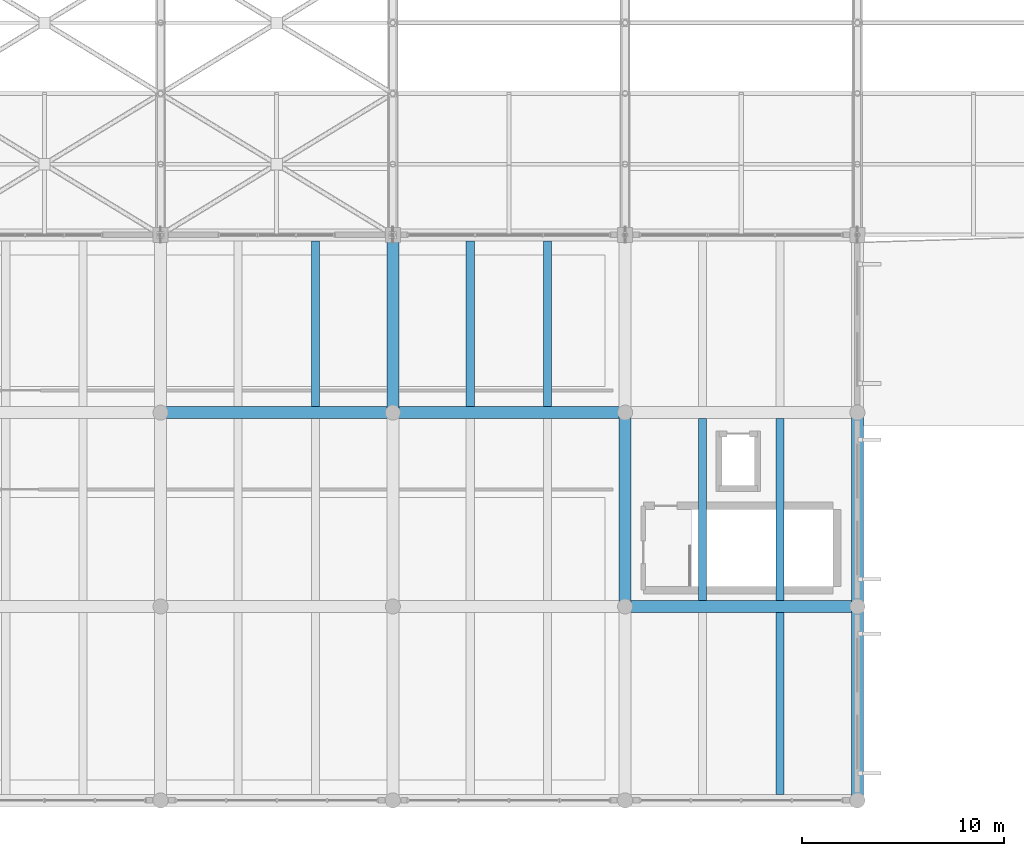
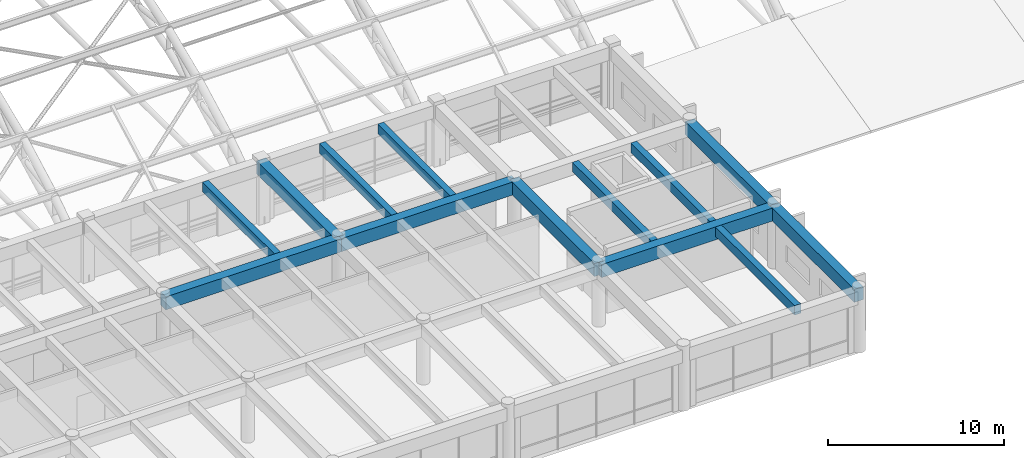
# One storey, part 44 of 154: 13 beams.
"""IFC4 building model written with IfcOpenShell, lengths in metres."""

from ifc_helpers import new_model, si_unit, direction, frame, origin, origin_2d, place, context, subcontext, project, spatial, rectangle, extrude, material, material_profile, profile_set, type_object, element, save


model = new_model("IFC4")

# Units and contexts
model_context = context("Model", 3, precision=1e-05, world=origin(), true_north=direction((0.0, 1.0)))
body_context = subcontext(model_context, "Body", "Model", "MODEL_VIEW")
ifc_project = project(units=[si_unit("LENGTHUNIT", "METRE"), si_unit("AREAUNIT", "SQUARE_METRE"), si_unit("VOLUMEUNIT", "CUBIC_METRE"), si_unit("PLANEANGLEUNIT", "RADIAN"), si_unit("MASSUNIT", "GRAM", prefix="KILO")], contexts=[model_context])

# Site, building, storey
site_placement = place(None, origin())
site = spatial("IfcSite", under=ifc_project, at=site_placement, CompositionType="ELEMENT")
building_placement = place(site_placement, origin())
building = spatial("IfcBuilding", under=site, at=building_placement, Name="Ologun Quay Terminus", CompositionType="ELEMENT")
storey_placement = place(building_placement, frame((0.0, 0.0, 13.800048828125)))
storey = spatial("IfcBuildingStorey", under=building, at=storey_placement, Name="L03", CompositionType="ELEMENT", Elevation=13.800048828125)

# Beams
ifc_material_1 = material(Name="Concrete C40/50", Category="concrete")
ifc_material_profile_1 = material_profile(ifc_material_1, rectangle(XDim=0.60009765625, YDim=0.89990234375, at=origin_2d()), Name="RC 600x900")
ifc_profile_set_1 = profile_set([ifc_material_profile_1], Name="Concrete C40/50")
beam_type_1 = type_object("IfcBeamType", Name="Station Frame Girder 600x900", PredefinedType="BEAM", material=ifc_profile_set_1)
for number, where, z_axis, x_axis, name in (
    (1, (115.0, 17.60009765625, 3.800048828125), (1.0, 0.0, 0.0), (0.0, 1.0, 0.0), "B3 Beam 11/C L03"),
    (2, (92.0, 27.199951171875, 3.800048828125), (1.0, 0.0, 0.0), (0.0, 1.0, 0.0), "B3 Beam 9/D L03"),
    (3, (103.5, 27.199951171875, 3.800048828125), (1.0, 0.0, 0.0), (0.0, 1.0, 0.0), "B3 Beam 10/D L03"),
):
    element("IfcBeam", number, at=place(storey_placement, frame(where, z_axis=z_axis, x_axis=x_axis)), inside=storey, type_object=beam_type_1, Name=name, PredefinedType="BEAM", context=body_context, shape_type="SweptSolid", body=[
        extrude(rectangle(XDim=0.60009765625, YDim=0.89990234375, at=origin_2d()), origin(), (0.0, 0.0, 1.0), 11.5),
    ])
beam_1_placement = place(storey_placement, frame((103.5, 27.199951171875, 3.800048828125), z_axis=(0.0, 1.0, 0.0), x_axis=(-1.0, 0.0, 0.0)))
element("IfcBeam", 4, at=beam_1_placement, inside=storey, type_object=beam_type_1, Name="B3 Beam 10/D L03", PredefinedType="BEAM", context=body_context, shape_type="SweptSolid", body=[
    extrude(rectangle(XDim=0.60009765625, YDim=0.89990234375, at=origin_2d()), origin(), (0.0, 0.0, 1.0), 8.800048828125),
])
beam_2_placement = place(storey_placement, frame((115.0, 17.60009765625, 3.800048828125), z_axis=(0.0, 1.0, 0.0), x_axis=(-1.0, 0.0, 0.0)))
element("IfcBeam", 5, at=beam_2_placement, inside=storey, type_object=beam_type_1, Name="B3 Beam 11/C L03", PredefinedType="BEAM", context=body_context, shape_type="SweptSolid", body=[
    extrude(rectangle(XDim=0.60009765625, YDim=0.89990234375, at=origin_2d()), origin(), (0.0, 0.0, 1.0), 9.599853515625),
])
beam_3_placement = place(storey_placement, frame((126.5, 8.0, 3.800048828125), z_axis=(0.0, 1.0, 0.0), x_axis=(-1.0, 0.0, 0.0)))
element("IfcBeam", 6, at=beam_3_placement, inside=storey, type_object=beam_type_1, Name="B3 Beam 12/B L03", PredefinedType="BEAM", context=body_context, shape_type="SweptSolid", body=[
    extrude(rectangle(XDim=0.60009765625, YDim=0.89990234375, at=origin_2d()), origin(), (0.0, 0.0, 1.0), 9.60009765625),
])
beam_4_placement = place(storey_placement, frame((126.5, 17.60009765625, 3.800048828125), z_axis=(0.0, 1.0, 0.0), x_axis=(-1.0, 0.0, 0.0)))
element("IfcBeam", 7, at=beam_4_placement, inside=storey, type_object=beam_type_1, Name="B3 Beam 12/C L03", PredefinedType="BEAM", context=body_context, shape_type="SweptSolid", body=[
    extrude(rectangle(XDim=0.60009765625, YDim=0.89990234375, at=origin_2d()), origin(), (0.0, 0.0, 1.0), 9.599853515625),
])
ifc_material_2 = material(Name="Concrete C40/50", Category="concrete")
ifc_material_profile_2 = material_profile(ifc_material_2, rectangle(XDim=0.39990234375, YDim=0.64990234375, at=origin_2d()), Name="RC 400x650")
ifc_profile_set_2 = profile_set([ifc_material_profile_2], Name="Concrete C40/50")
beam_type_2 = type_object("IfcBeamType", Name="Station Secondary Joist 400x650", PredefinedType="JOIST", material=ifc_profile_set_2)
for number, where, z_axis, x_axis, name in (
    (8, (99.666748046875, 27.5, 3.925048828125), (0.0, 1.0, 0.0), (-1.0, 0.0, 0.0), "J1 Beam 9/D L03"),
    (9, (107.333251953125, 27.5, 3.925048828125), (0.0, 1.0, 0.0), (-1.0, 0.0, 0.0), "J1 Beam 10/D L03"),
    (10, (111.166748046875, 27.5, 3.925048828125), (0.0, 1.0, 0.0), (-1.0, 0.0, 0.0), "J1 Beam 10/D L03"),
):
    element("IfcBeam", number, at=place(storey_placement, frame(where, z_axis=z_axis, x_axis=x_axis)), inside=storey, type_object=beam_type_2, Name=name, PredefinedType="JOIST", context=body_context, shape_type="SweptSolid", body=[
        extrude(rectangle(XDim=0.39990234375, YDim=0.64990234375, at=origin_2d()), origin(), (0.0, 0.0, 1.0), 8.199951171875),
    ])
for number, where, z_axis, x_axis, name in (
    (11, (122.666748046875, 8.300048828125, 3.925048828125), (0.0, 1.0, 0.0), (-1.0, 0.0, 0.0), "J1 Beam 11/B L03"),
    (12, (118.833251953125, 17.89990234375, 3.925048828125), (0.0, 1.0, 0.0), (-1.0, 0.0, 0.0), "J1 Beam 11/C L03"),
    (13, (122.666748046875, 17.89990234375, 3.925048828125), (0.0, 1.0, 0.0), (-1.0, 0.0, 0.0), "J1 Beam 11/C L03"),
):
    element("IfcBeam", number, at=place(storey_placement, frame(where, z_axis=z_axis, x_axis=x_axis)), inside=storey, type_object=beam_type_2, Name=name, PredefinedType="JOIST", context=body_context, shape_type="SweptSolid", body=[
        extrude(rectangle(XDim=0.39990234375, YDim=0.64990234375, at=origin_2d()), origin(), (0.0, 0.0, 1.0), 9.0),
    ])

save(model, "model.ifc")
